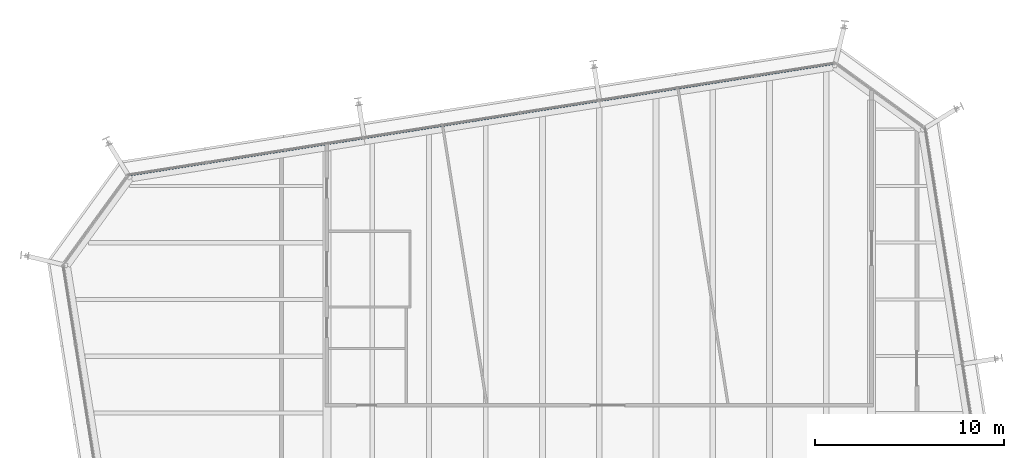
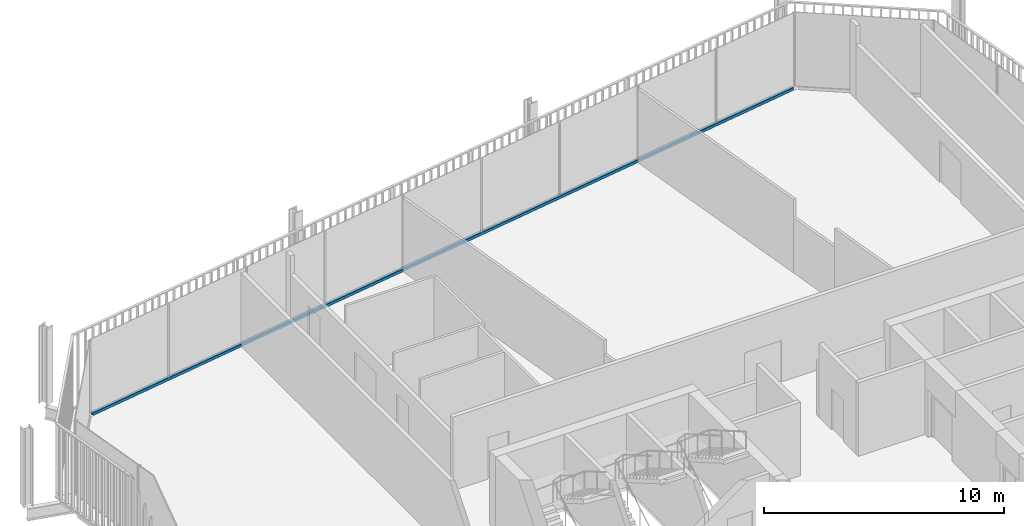
# One storey, part 13 of 20: 1 member, 1 element without a shape of its own.
"""IFC4 building model written with IfcOpenShell, lengths in metres."""

from ifc_helpers import new_model, si_unit, direction, frame, origin, origin_2d, place, context, subcontext, project, spatial, rectangle, extrude, material, layer, layer_set, material_profile, profile_set, type_object, element, aggregate, save


model = new_model("IFC4")

# Units and contexts
model_context = context("Model", 3, precision=1e-05, world=origin(), true_north=direction((0.0, 1.0)))
body_context = subcontext(model_context, "Body", "Model", "MODEL_VIEW")
ifc_project = project(units=[si_unit("LENGTHUNIT", "METRE"), si_unit("AREAUNIT", "SQUARE_METRE"), si_unit("VOLUMEUNIT", "CUBIC_METRE"), si_unit("PLANEANGLEUNIT", "RADIAN"), si_unit("MASSUNIT", "GRAM", prefix="KILO")], contexts=[model_context])

# Site, building, storey
site_placement = place(None, origin())
site = spatial("IfcSite", under=ifc_project, at=site_placement, CompositionType="ELEMENT")
building_placement = place(site_placement, origin())
building = spatial("IfcBuilding", under=site, at=building_placement, Name="Millrace Tower", CompositionType="ELEMENT")
storey_placement = place(building_placement, frame((0.0, 0.0, 232.0)))
storey = spatial("IfcBuildingStorey", under=building, at=storey_placement, Name="L53", CompositionType="ELEMENT", Elevation=232.0)

# Curtain wall, member
ifc_material_1 = material(Name="Aluminium and glass", Category="aluminium")
ifc_layer = layer(ifc_material_1, 0.14990234375)
ifc_layer_set = layer_set([ifc_layer], Name="Aluminium and glass")
curtain_wall_type = type_object("IfcCurtainWallType", Name="CW-1 office vision curtain wall", PredefinedType="NOTDEFINED", material=ifc_layer_set)
curtain_wall_placement = place(storey_placement, origin())
curtain_wall = element("IfcCurtainWall", 1, at=curtain_wall_placement, inside=storey, type_object=curtain_wall_type, Name="Curtain wall D-F06 L53", PredefinedType="NOTDEFINED")
ifc_material_2 = material(Name="Aluminium", Category="aluminium")
ifc_material_profile = material_profile(ifc_material_2, rectangle(XDim=0.14990234375, YDim=0.139892578125, at=origin_2d()))
ifc_profile_set = profile_set([ifc_material_profile], Name="Aluminium")
member_type = type_object("IfcMemberType", Name="CW-1 office vision curtain wall transom", PredefinedType="USERDEFINED", material=ifc_profile_set)
member_placement = place(storey_placement, frame((12.35888671875, 30.48193359375, 0.070068359375), z_axis=(-0.987687829698, -0.156437690685, 0.0), x_axis=(0.156437690685, -0.987687829698, 0.0)))
member = element("IfcMember", 2, at=member_placement, type_object=member_type, Name="CW1 transom D-F06.1", ObjectType="TRANSOM", PredefinedType="USERDEFINED", context=body_context, shape_type="SweptSolid", body=[
    extrude(rectangle(XDim=0.14990234375, YDim=0.139892578125, at=origin_2d()), origin(), (0.0, 0.0, 1.0), 37.60009765625),
])
aggregate(curtain_wall, [member])

save(model, "model.ifc")
